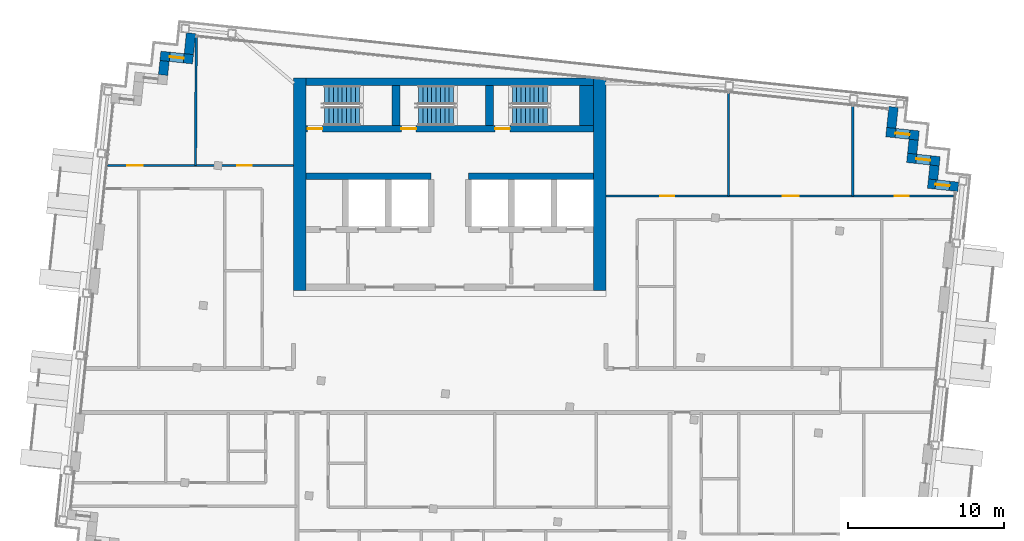
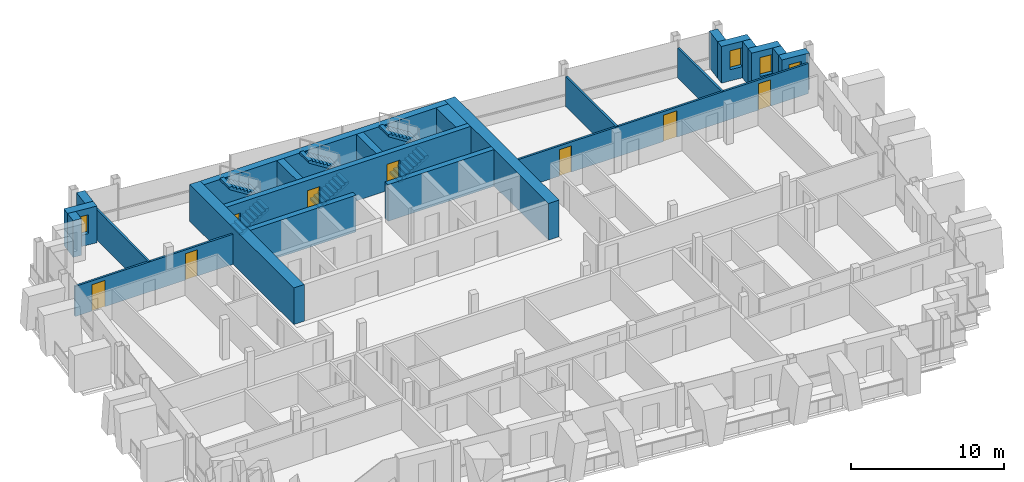
# One storey, part 12 of 16: 23 walls, 8 doors, 6 stair flights, 4 windows, 12 openings, 3 elements without a shape of their own.
"""IFC4 building model written with IfcOpenShell, lengths in metres."""

from ifc_helpers import new_model, si_unit, direction, frame, frame_2d, origin, place, context, subcontext, project, spatial, polyline, rectangle, outline, extrude, material, layer, layer_set, type_object, element, fill, aggregate, save


model = new_model("IFC4")

# Units and contexts
model_context = context("Model", 3, precision=1e-05, world=origin(), true_north=direction((0.0, 1.0)))
body_context = subcontext(model_context, "Body", "Model", "MODEL_VIEW")
ifc_project = project(units=[si_unit("LENGTHUNIT", "METRE"), si_unit("AREAUNIT", "SQUARE_METRE"), si_unit("VOLUMEUNIT", "CUBIC_METRE"), si_unit("PLANEANGLEUNIT", "RADIAN"), si_unit("MASSUNIT", "GRAM", prefix="KILO")], contexts=[model_context])

# Site, building, storey
site_placement = place(None, origin())
site = spatial("IfcSite", under=ifc_project, at=site_placement, CompositionType="ELEMENT")
building_placement = place(site_placement, origin())
building = spatial("IfcBuilding", under=site, at=building_placement, Name="Vidyagriha Tower", CompositionType="ELEMENT")
storey_placement = place(building_placement, frame((0.0, 0.0, 253.10009765625)))
storey = spatial("IfcBuildingStorey", under=building, at=storey_placement, Name="L65", CompositionType="ELEMENT", Elevation=253.10009765625)

# Wall, opening, window
ifc_material_1 = material(Name="Precast concrete C40/50 with brick facing", Category="concrete")
ifc_layer_1 = layer(ifc_material_1, 0.60009765625)
ifc_layer_set_1 = layer_set([ifc_layer_1], Name="Precast concrete C40/50 with brick facing")
wall_type_1 = type_object("IfcWallType", Name="Brick-faced precast wall 600", PredefinedType="STANDARD", material=ifc_layer_set_1)
wall_1_placement = place(storey_placement, frame((32.536376953125, 13.03125, 0.0), z_axis=(0.0, 0.0, 1.0), x_axis=(-0.994534226826, 0.104411070641, 0.0)))
wall_1 = element("IfcWall", 1, at=wall_1_placement, inside=storey, type_object=wall_type_1, Name="Stepped corner wall L65 R01", PredefinedType="STANDARD", context=body_context, shape_type="SweptSolid", body=[
    extrude(rectangle(XDim=1.9501953125, YDim=0.60009765625, at=frame_2d((0.97509765625, 0.0))), origin(), (0.0, 0.0, 1.0), 2.919921875),
])
opening_1_placement = place(wall_1_placement, frame((0.559814453125, 0.0, 0.89990234375)))
opening_1 = element("IfcOpeningElement", 2, at=opening_1_placement, cuts=wall_1, Name="Opening WN1", PredefinedType="OPENING", context=body_context, shape_type="SweptSolid", body=[
    extrude(rectangle(XDim=0.89990234375, YDim=1.5, at=frame_2d((0.449951171875, 0.75))), frame((0.0, 0.31005859375, 0.0), z_axis=(0.0, -1.0, 0.0), x_axis=(1.0, 0.0, 0.0)), (0.0, 0.0, 1.0), 0.6201171875),
])
ifc_material_2 = material(Name="Aluminium and glass window", Category="aluminium")
window_type = type_object("IfcWindowType", Name="Reveal window 900x1500", PartitioningType="NOTDEFINED", PredefinedType="WINDOW", material=ifc_material_2)
window_1_placement = place(opening_1_placement, origin())
window_1 = element("IfcWindow", 3, at=window_1_placement, inside=storey, type_object=window_type, Name="Reveal window L65 R01", OverallHeight=1.5, OverallWidth=0.89990234375, PartitioningType="SINGLE_PANEL", PredefinedType="WINDOW", context=body_context, shape_type="SweptSolid", body=[
    extrude(rectangle(XDim=0.89990234375, YDim=1.5, at=frame_2d((0.449951171875, 0.75))), frame((0.0, 0.030029296875, 0.0), z_axis=(0.0, -1.0, 0.0), x_axis=(1.0, 0.0, 0.0)), (0.0, 0.0, 1.0), 0.06005859375),
])
fill(opening_1, window_1)

# Wall
wall_2_placement = place(storey_placement, frame((30.9267578125, 13.501953125, 0.0), z_axis=(0.0, 0.0, 1.0), x_axis=(0.104416541099, 0.994533652495, 0.0)))
element("IfcWall", 4, at=wall_2_placement, inside=storey, type_object=wall_type_1, Name="Stepped corner wall L65 R02", PredefinedType="STANDARD", context=body_context, shape_type="SweptSolid", body=[
    extrude(rectangle(XDim=0.900146484375, YDim=0.60009765625, at=frame_2d((0.4501953125, 0.0))), origin(), (0.0, 0.0, 1.0), 2.919921875),
])

# Wall, opening, window
wall_3_placement = place(storey_placement, frame((31.3505859375, 14.6640625, 0.0), z_axis=(0.0, 0.0, 1.0), x_axis=(-0.994523910136, 0.104509292252, 0.0)))
wall_3 = element("IfcWall", 5, at=wall_3_placement, inside=storey, type_object=wall_type_1, Name="Stepped corner wall L65 R03", PredefinedType="STANDARD", context=body_context, shape_type="SweptSolid", body=[
    extrude(rectangle(XDim=2.10009765625, YDim=0.60009765625, at=frame_2d((1.050048828125, 0.0))), origin(), (0.0, 0.0, 1.0), 2.919921875),
])
opening_2_placement = place(wall_3_placement, frame((0.60009765625, 0.0, 0.89990234375)))
opening_2 = element("IfcOpeningElement", 6, at=opening_2_placement, cuts=wall_3, Name="Opening WN1", PredefinedType="OPENING", context=body_context, shape_type="SweptSolid", body=[
    extrude(rectangle(XDim=0.89990234375, YDim=1.5, at=frame_2d((0.449951171875, 0.75))), frame((0.0, 0.31005859375, 0.0), z_axis=(0.0, -1.0, 0.0), x_axis=(1.0, 0.0, 0.0)), (0.0, 0.0, 1.0), 0.6201171875),
])
window_2_placement = place(opening_2_placement, origin())
window_2 = element("IfcWindow", 7, at=window_2_placement, inside=storey, type_object=window_type, Name="Reveal window L65 R03", OverallHeight=1.5, OverallWidth=0.89990234375, PartitioningType="SINGLE_PANEL", PredefinedType="WINDOW", context=body_context, shape_type="SweptSolid", body=[
    extrude(rectangle(XDim=0.89990234375, YDim=1.5, at=frame_2d((0.449951171875, 0.75))), frame((0.0, 0.030029296875, 0.0), z_axis=(0.0, -1.0, 0.0), x_axis=(1.0, 0.0, 0.0)), (0.0, 0.0, 1.0), 0.06005859375),
])
fill(opening_2, window_2)

# Wall
wall_4_placement = place(storey_placement, frame((29.591796875, 15.150634765625, 0.0), z_axis=(0.0, 0.0, 1.0), x_axis=(0.104444712852, 0.994530694326, 0.0)))
element("IfcWall", 8, at=wall_4_placement, inside=storey, type_object=wall_type_1, Name="Stepped corner wall L65 R04", PredefinedType="STANDARD", context=body_context, shape_type="SweptSolid", body=[
    extrude(rectangle(XDim=0.89990234375, YDim=0.60009765625, at=frame_2d((0.449951171875, 0.0))), origin(), (0.0, 0.0, 1.0), 2.919921875),
])

# Wall, opening, window
wall_5_placement = place(storey_placement, frame((30.015380859375, 16.3125, 0.0), z_axis=(0.0, 0.0, 1.0), x_axis=(-0.994510548187, 0.104636368175, 0.0)))
wall_5 = element("IfcWall", 9, at=wall_5_placement, inside=storey, type_object=wall_type_1, Name="Stepped corner wall L65 R05", PredefinedType="STANDARD", context=body_context, shape_type="SweptSolid", body=[
    extrude(rectangle(XDim=2.099853515625, YDim=0.60009765625, at=frame_2d((1.0498046875, 0.0))), origin(), (0.0, 0.0, 1.0), 2.919921875),
])
opening_3_placement = place(wall_5_placement, frame((0.60009765625, 0.0, 0.89990234375)))
opening_3 = element("IfcOpeningElement", 10, at=opening_3_placement, cuts=wall_5, Name="Opening WN1", PredefinedType="OPENING", context=body_context, shape_type="SweptSolid", body=[
    extrude(rectangle(XDim=0.89990234375, YDim=1.5, at=frame_2d((0.449951171875, 0.75))), frame((0.0, 0.31005859375, 0.0), z_axis=(0.0, -1.0, 0.0), x_axis=(1.0, 0.0, 0.0)), (0.0, 0.0, 1.0), 0.6201171875),
])
window_3_placement = place(opening_3_placement, origin())
window_3 = element("IfcWindow", 11, at=window_3_placement, inside=storey, type_object=window_type, Name="Reveal window L65 R05", OverallHeight=1.5, OverallWidth=0.89990234375, PartitioningType="SINGLE_PANEL", PredefinedType="WINDOW", context=body_context, shape_type="SweptSolid", body=[
    extrude(rectangle(XDim=0.89990234375, YDim=1.5, at=frame_2d((0.449951171875, 0.75))), frame((0.0, 0.030029296875, 0.0), z_axis=(0.0, -1.0, 0.0), x_axis=(1.0, 0.0, 0.0)), (0.0, 0.0, 1.0), 0.06005859375),
])
fill(opening_3, window_3)

# Walls
wall_6_placement = place(storey_placement, frame((28.256591796875, 16.79931640625, 0.0), z_axis=(0.0, 0.0, 1.0), x_axis=(0.104534153452, 0.994521297289, 0.0)))
element("IfcWall", 12, at=wall_6_placement, inside=storey, type_object=wall_type_1, Name="Stepped corner wall L65 R06", PredefinedType="STANDARD", context=body_context, shape_type="SweptSolid", body=[
    extrude(rectangle(XDim=1.349853515625, YDim=0.60009765625, at=frame_2d((0.6748046875, 0.0))), origin(), (0.0, 0.0, 1.0), 2.919921875),
])
wall_7_placement = place(storey_placement, frame((-16.5546875, 22.866455078125, 0.0), z_axis=(0.0, 0.0, 1.0), x_axis=(-0.104515354875, -0.994523273029, 0.0)))
element("IfcWall", 13, at=wall_7_placement, inside=storey, type_object=wall_type_1, Name="Stepped corner wall L65 R08", PredefinedType="STANDARD", context=body_context, shape_type="SweptSolid", body=[
    extrude(rectangle(XDim=1.35009765625, YDim=0.60009765625, at=frame_2d((0.675048828125, 0.0))), origin(), (0.0, 0.0, 1.0), 2.919921875),
])

# Wall, opening, window
wall_8_placement = place(storey_placement, frame((-16.4287109375, 21.194091796875, 0.0), z_axis=(0.0, 0.0, 1.0), x_axis=(-0.994522640205, 0.104521376379, 0.0)))
wall_8 = element("IfcWall", 14, at=wall_8_placement, inside=storey, type_object=wall_type_1, Name="Stepped corner wall L65 R09", PredefinedType="STANDARD", context=body_context, shape_type="SweptSolid", body=[
    extrude(rectangle(XDim=2.099853515625, YDim=0.60009765625, at=frame_2d((1.0498046875, 0.0))), origin(), (0.0, 0.0, 1.0), 2.919921875),
])
opening_4_placement = place(wall_8_placement, frame((0.599853515625, 0.0, 0.89990234375)))
opening_4 = element("IfcOpeningElement", 15, at=opening_4_placement, cuts=wall_8, Name="Opening WN1", PredefinedType="OPENING", context=body_context, shape_type="SweptSolid", body=[
    extrude(rectangle(XDim=0.89990234375, YDim=1.5, at=frame_2d((0.449951171875, 0.75))), frame((0.0, 0.31005859375, 0.0), z_axis=(0.0, -1.0, 0.0), x_axis=(1.0, 0.0, 0.0)), (0.0, 0.0, 1.0), 0.6201171875),
])
window_4_placement = place(opening_4_placement, origin())
window_4 = element("IfcWindow", 16, at=window_4_placement, inside=storey, type_object=window_type, Name="Reveal window L65 R09", OverallHeight=1.5, OverallWidth=0.89990234375, PartitioningType="SINGLE_PANEL", PredefinedType="WINDOW", context=body_context, shape_type="SweptSolid", body=[
    extrude(rectangle(XDim=0.89990234375, YDim=1.5, at=frame_2d((0.449951171875, 0.75))), frame((0.0, 0.030029296875, 0.0), z_axis=(0.0, -1.0, 0.0), x_axis=(1.0, 0.0, 0.0)), (0.0, 0.0, 1.0), 0.06005859375),
])
fill(opening_4, window_4)

# Walls
wall_9_placement = place(storey_placement, frame((-18.250244140625, 21.083984375, 0.0), z_axis=(0.0, 0.0, 1.0), x_axis=(-0.104416541099, -0.994533652495, 0.0)))
element("IfcWall", 17, at=wall_9_placement, inside=storey, type_object=wall_type_1, Name="Stepped corner wall L65 R10", PredefinedType="STANDARD", context=body_context, shape_type="SweptSolid", body=[
    extrude(rectangle(XDim=0.900146484375, YDim=0.60009765625, at=frame_2d((0.4501953125, 0.0))), origin(), (0.0, 0.0, 1.0), 2.919921875),
])
ifc_material_3 = material(Name="Concrete C60/75", Category="concrete")
ifc_layer_2 = layer(ifc_material_3, 0.39990234375)
ifc_layer_set_2 = layer_set([ifc_layer_2], Name="Concrete C60/75")
wall_type_2 = type_object("IfcWallType", Name="Core shear wall 400 mm", PredefinedType="SHEAR", material=ifc_layer_set_2)
for number, where, name in (
    (18, (-9.199951171875, 13.699951171875, 0.0), "Core row N rear wall"),
    (19, (1.199951171875, 13.699951171875, 0.0), "Core row N rear wall"),
):
    element("IfcWall", number, at=place(storey_placement, frame(where)), inside=storey, type_object=wall_type_2, Name=name, PredefinedType="SHEAR", context=body_context, shape_type="SweptSolid", body=[
        extrude(rectangle(XDim=8.0, YDim=0.39990234375, at=frame_2d((4.0, 0.0))), origin(), (0.0, 0.0, 1.0), 2.919921875),
    ])

# Wall, openings, doors
wall_10_placement = place(storey_placement, frame((-9.199951171875, 16.75, 0.0)))
wall_10 = element("IfcWall", 20, at=wall_10_placement, inside=storey, type_object=wall_type_2, Name="Stair front wall", PredefinedType="SHEAR", context=body_context, shape_type="SweptSolid", body=[
    extrude(rectangle(XDim=18.39990234375, YDim=0.39990234375, at=frame_2d((9.199951171875, 0.0))), origin(), (0.0, 0.0, 1.0), 2.919921875),
])
opening_5_placement = place(wall_10_placement, frame((0.10009765625, 0.0, 0.0)))
opening_5 = element("IfcOpeningElement", 21, at=opening_5_placement, cuts=wall_10, Name="Opening D65-06", PredefinedType="OPENING", context=body_context, shape_type="SweptSolid", body=[
    extrude(rectangle(XDim=0.949951171875, YDim=2.10009765625, at=frame_2d((0.47509765625, 1.050048828125))), frame((0.0, 0.2099609375, 0.0), z_axis=(0.0, -1.0, 0.0), x_axis=(1.0, 0.0, 0.0)), (0.0, 0.0, 1.0), 0.419921875),
])
opening_6_placement = place(wall_10_placement, frame((6.10009765625, 0.0, 0.0)))
opening_6 = element("IfcOpeningElement", 22, at=opening_6_placement, cuts=wall_10, Name="Opening D65-07", PredefinedType="OPENING", context=body_context, shape_type="SweptSolid", body=[
    extrude(rectangle(XDim=0.949951171875, YDim=2.10009765625, at=frame_2d((0.47509765625, 1.050048828125))), frame((0.0, 0.2099609375, 0.0), z_axis=(0.0, -1.0, 0.0), x_axis=(1.0, 0.0, 0.0)), (0.0, 0.0, 1.0), 0.419921875),
])
opening_7_placement = place(wall_10_placement, frame((12.10009765625, 0.0, 0.0)))
opening_7 = element("IfcOpeningElement", 23, at=opening_7_placement, cuts=wall_10, Name="Opening D65-08", PredefinedType="OPENING", context=body_context, shape_type="SweptSolid", body=[
    extrude(rectangle(XDim=0.949951171875, YDim=2.10009765625, at=frame_2d((0.47509765625, 1.050048828125))), frame((0.0, 0.2099609375, 0.0), z_axis=(0.0, -1.0, 0.0), x_axis=(1.0, 0.0, 0.0)), (0.0, 0.0, 1.0), 0.419921875),
])
ifc_material_4 = material(Name="Hollow metal door leaf")
door_type_1 = type_object("IfcDoorType", Name="Exit stair door 950 x 2100 mm EI 90", OperationType="NOTDEFINED", PredefinedType="DOOR", material=ifc_material_4)
door_1_placement = place(opening_5_placement, origin())
door_1 = element("IfcDoor", 24, at=door_1_placement, inside=storey, type_object=door_type_1, Name="Stair door ST1 L65", OperationType="SINGLE_SWING_LEFT", OverallHeight=2.10009765625, OverallWidth=0.949951171875, PredefinedType="DOOR", context=body_context, shape_type="SweptSolid", body=[
    extrude(rectangle(XDim=0.949951171875, YDim=2.10009765625, at=frame_2d((0.47509765625, 1.050048828125))), frame((0.0, 0.02490234375, 0.0), z_axis=(0.0, -1.0, 0.0), x_axis=(1.0, 0.0, 0.0)), (0.0, 0.0, 1.0), 0.050048828125),
])
fill(opening_5, door_1)
door_2_placement = place(opening_6_placement, origin())
door_2 = element("IfcDoor", 25, at=door_2_placement, inside=storey, type_object=door_type_1, Name="Stair door ST2 L65", OperationType="SINGLE_SWING_LEFT", OverallHeight=2.10009765625, OverallWidth=0.949951171875, PredefinedType="DOOR", context=body_context, shape_type="SweptSolid", body=[
    extrude(rectangle(XDim=0.949951171875, YDim=2.10009765625, at=frame_2d((0.47509765625, 1.050048828125))), frame((0.0, 0.02490234375, 0.0), z_axis=(0.0, -1.0, 0.0), x_axis=(1.0, 0.0, 0.0)), (0.0, 0.0, 1.0), 0.050048828125),
])
fill(opening_6, door_2)
door_3_placement = place(opening_7_placement, origin())
door_3 = element("IfcDoor", 26, at=door_3_placement, inside=storey, type_object=door_type_1, Name="Stair door ST3 L65", OperationType="SINGLE_SWING_LEFT", OverallHeight=2.10009765625, OverallWidth=0.949951171875, PredefinedType="DOOR", context=body_context, shape_type="SweptSolid", body=[
    extrude(rectangle(XDim=0.949951171875, YDim=2.10009765625, at=frame_2d((0.47509765625, 1.050048828125))), frame((0.0, 0.02490234375, 0.0), z_axis=(0.0, -1.0, 0.0), x_axis=(1.0, 0.0, 0.0)), (0.0, 0.0, 1.0), 0.050048828125),
])
fill(opening_7, door_3)

# Walls
ifc_material_5 = material(Name="Concrete C60/75", Category="concrete")
ifc_layer_3 = layer(ifc_material_5, 0.5)
ifc_layer_set_3 = layer_set([ifc_layer_3], Name="Concrete C60/75")
wall_type_3 = type_object("IfcWallType", Name="Core shear wall 500 mm", PredefinedType="SHEAR", material=ifc_layer_set_3)
wall_11_placement = place(storey_placement, frame((-9.199951171875, 19.75, 0.0)))
element("IfcWall", 27, at=wall_11_placement, inside=storey, type_object=wall_type_3, Name="Core north wall", PredefinedType="SHEAR", context=body_context, shape_type="SweptSolid", body=[
    extrude(rectangle(XDim=18.39990234375, YDim=0.5, at=frame_2d((9.199951171875, 0.0))), origin(), (0.0, 0.0, 1.0), 2.919921875),
])
for number, where, z_axis, x_axis, name in (
    (28, (-3.449951171875, 16.949951171875, 0.0), (0.0, 0.0, 1.0), (0.0, 1.0, 0.0), "Stair partition wall 1"),
    (29, (2.550048828125, 16.949951171875, 0.0), (0.0, 0.0, 1.0), (0.0, 1.0, 0.0), "Stair partition wall 2"),
):
    element("IfcWall", number, at=place(storey_placement, frame(where, z_axis=z_axis, x_axis=x_axis)), inside=storey, type_object=wall_type_3, Name=name, PredefinedType="SHEAR", context=body_context, shape_type="SweptSolid", body=[
        extrude(rectangle(XDim=2.550048828125, YDim=0.5, at=frame_2d((1.27490234375, 0.0))), origin(), (0.0, 0.0, 1.0), 2.919921875),
    ])
ifc_material_6 = material(Name="Concrete C60/75", Category="concrete")
ifc_layer_4 = layer(ifc_material_6, 0.800048828125)
ifc_layer_set_4 = layer_set([ifc_layer_4], Name="Concrete C60/75")
wall_type_4 = type_object("IfcWallType", Name="Core shear wall 800 mm", PredefinedType="SHEAR", material=ifc_layer_set_4)
for number, where, z_axis, x_axis, name in (
    (30, (-9.60009765625, 6.39990234375, 0.0), (0.0, 0.0, 1.0), (0.0, 1.0, 0.0), "Core west wall"),
    (31, (9.60009765625, 6.39990234375, 0.0), (0.0, 0.0, 1.0), (0.0, 1.0, 0.0), "Core east wall"),
):
    element("IfcWall", number, at=place(storey_placement, frame(where, z_axis=z_axis, x_axis=x_axis)), inside=storey, type_object=wall_type_4, Name=name, PredefinedType="SHEAR", context=body_context, shape_type="SweptSolid", body=[
        extrude(rectangle(XDim=13.60009765625, YDim=0.800048828125, at=frame_2d((6.800048828125, 0.0))), origin(), (0.0, 0.0, 1.0), 2.919921875),
    ])
ifc_material_7 = material(Name="Concrete C60/75", Category="concrete")
ifc_layer_5 = layer(ifc_material_7, 0.89990234375)
ifc_layer_set_5 = layer_set([ifc_layer_5], Name="Concrete C60/75")
wall_type_5 = type_object("IfcWallType", Name="Core shear wall 900 mm", PredefinedType="SHEAR", material=ifc_layer_set_5)
wall_12_placement = place(storey_placement, frame((8.75, 16.949951171875, 0.0), z_axis=(0.0, 0.0, 1.0), x_axis=(0.0, 1.0, 0.0)))
element("IfcWall", 32, at=wall_12_placement, inside=storey, type_object=wall_type_5, Name="Stair end wall", PredefinedType="SHEAR", context=body_context, shape_type="SweptSolid", body=[
    extrude(rectangle(XDim=2.550048828125, YDim=0.89990234375, at=frame_2d((1.27490234375, 0.0))), origin(), (0.0, 0.0, 1.0), 2.919921875),
])

# Wall, openings, doors
ifc_material_8 = material(Name="Gypsum board partition")
ifc_layer_6 = layer(ifc_material_8, 0.14990234375)
ifc_layer_set_6 = layer_set([ifc_layer_6], Name="Gypsum board partition")
wall_type_6 = type_object("IfcWallType", Name="Gypsum board partition 150", PredefinedType="PARTITIONING", material=ifc_layer_set_6)
wall_13_placement = place(storey_placement, frame((-21.889892578125, 14.39990234375, 0.0)))
wall_13 = element("IfcWall", 33, at=wall_13_placement, inside=storey, type_object=wall_type_6, Name="Wall all-L65-w068", PredefinedType="PARTITIONING", context=body_context, shape_type="SweptSolid", body=[
    extrude(rectangle(XDim=11.889892578125, YDim=0.14990234375, at=frame_2d((5.94482421875, 0.0))), origin(), (0.0, 0.0, 1.0), 2.39990234375),
])
opening_8_placement = place(wall_13_placement, frame((1.259765625, 0.0, 0.0)))
opening_8 = element("IfcOpeningElement", 34, at=opening_8_placement, cuts=wall_13, Name="Opening D65-40", PredefinedType="OPENING", context=body_context, shape_type="SweptSolid", body=[
    extrude(rectangle(XDim=1.0, YDim=2.10009765625, at=frame_2d((0.5, 1.050048828125))), frame((0.0, 0.0849609375, 0.0), z_axis=(0.0, -1.0, 0.0), x_axis=(1.0, 0.0, 0.0)), (0.0, 0.0, 1.0), 0.169921875),
])
opening_9_placement = place(wall_13_placement, frame((8.3037109375, 0.0, 0.0)))
opening_9 = element("IfcOpeningElement", 35, at=opening_9_placement, cuts=wall_13, Name="Opening D65-41", PredefinedType="OPENING", context=body_context, shape_type="SweptSolid", body=[
    extrude(rectangle(XDim=0.89990234375, YDim=2.10009765625, at=frame_2d((0.449951171875, 1.050048828125))), frame((0.0, 0.0849609375, 0.0), z_axis=(0.0, -1.0, 0.0), x_axis=(1.0, 0.0, 0.0)), (0.0, 0.0, 1.0), 0.169921875),
])
ifc_material_9 = material(Name="Timber door leaf", Category="wood")
door_type_2 = type_object("IfcDoorType", Name="Room door 1000x2100", OperationType="NOTDEFINED", PredefinedType="DOOR", material=ifc_material_9)
door_4_placement = place(opening_8_placement, origin())
door_4 = element("IfcDoor", 36, at=door_4_placement, inside=storey, type_object=door_type_2, Name="Door D65-40", OperationType="SINGLE_SWING_LEFT", OverallHeight=2.10009765625, OverallWidth=1.0, PredefinedType="DOOR", context=body_context, shape_type="SweptSolid", body=[
    extrude(rectangle(XDim=1.0, YDim=2.10009765625, at=frame_2d((0.5, 1.050048828125))), frame((0.0, 0.02490234375, 0.0), z_axis=(0.0, -1.0, 0.0), x_axis=(1.0, 0.0, 0.0)), (0.0, 0.0, 1.0), 0.050048828125),
])
fill(opening_8, door_4)
ifc_material_10 = material(Name="Timber door leaf", Category="wood")
door_type_3 = type_object("IfcDoorType", Name="Room door 900x2100", OperationType="NOTDEFINED", PredefinedType="DOOR", material=ifc_material_10)
door_5_placement = place(opening_9_placement, origin())
door_5 = element("IfcDoor", 37, at=door_5_placement, inside=storey, type_object=door_type_3, Name="Door D65-41", OperationType="SINGLE_SWING_RIGHT", OverallHeight=2.10009765625, OverallWidth=0.89990234375, PredefinedType="DOOR", context=body_context, shape_type="SweptSolid", body=[
    extrude(rectangle(XDim=0.89990234375, YDim=2.10009765625, at=frame_2d((0.449951171875, 1.050048828125))), frame((0.0, 0.02490234375, 0.0), z_axis=(0.0, -1.0, 0.0), x_axis=(1.0, 0.0, 0.0)), (0.0, 0.0, 1.0), 0.050048828125),
])
fill(opening_9, door_5)

# Wall
wall_14_placement = place(storey_placement, frame((-16.221923828125, 22.6103515625, 0.0), z_axis=(0.0, 0.0, 1.0), x_axis=(-0.006095634594, -0.999981421447, 0.0)))
element("IfcWall", 38, at=wall_14_placement, inside=storey, type_object=wall_type_6, Name="Wall all-L65-w071", PredefinedType="PARTITIONING", context=body_context, shape_type="SweptSolid", body=[
    extrude(rectangle(XDim=8.210693359375, YDim=0.14990234375, at=frame_2d((4.10546875, 0.0))), origin(), (0.0, 0.0, 1.0), 2.39990234375),
])

# Wall, openings, doors
wall_15_placement = place(storey_placement, frame((10.0, 12.443359375, 0.0)))
wall_15 = element("IfcWall", 39, at=wall_15_placement, inside=storey, type_object=wall_type_6, Name="Wall all-L65-w085", PredefinedType="PARTITIONING", context=body_context, shape_type="SweptSolid", body=[
    extrude(rectangle(XDim=22.244140625, YDim=0.14990234375, at=frame_2d((11.1220703125, 0.0))), origin(), (0.0, 0.0, 1.0), 2.39990234375),
])
opening_10_placement = place(wall_15_placement, frame((3.47021484375, 0.0, 0.0)))
opening_10 = element("IfcOpeningElement", 40, at=opening_10_placement, cuts=wall_15, Name="Opening D65-48", PredefinedType="OPENING", context=body_context, shape_type="SweptSolid", body=[
    extrude(rectangle(XDim=0.89990234375, YDim=2.10009765625, at=frame_2d((0.449951171875, 1.050048828125))), frame((0.0, 0.0849609375, 0.0), z_axis=(0.0, -1.0, 0.0), x_axis=(1.0, 0.0, 0.0)), (0.0, 0.0, 1.0), 0.169921875),
])
opening_11_placement = place(wall_15_placement, frame((11.318359375, 0.0, 0.0)))
opening_11 = element("IfcOpeningElement", 41, at=opening_11_placement, cuts=wall_15, Name="Opening D65-49", PredefinedType="OPENING", context=body_context, shape_type="SweptSolid", body=[
    extrude(rectangle(XDim=1.0, YDim=2.10009765625, at=frame_2d((0.5, 1.050048828125))), frame((0.0, 0.0849609375, 0.0), z_axis=(0.0, -1.0, 0.0), x_axis=(1.0, 0.0, 0.0)), (0.0, 0.0, 1.0), 0.169921875),
])
opening_12_placement = place(wall_15_placement, frame((18.476806640625, 0.0, 0.0)))
opening_12 = element("IfcOpeningElement", 42, at=opening_12_placement, cuts=wall_15, Name="Opening D65-50", PredefinedType="OPENING", context=body_context, shape_type="SweptSolid", body=[
    extrude(rectangle(XDim=0.89990234375, YDim=2.10009765625, at=frame_2d((0.449951171875, 1.050048828125))), frame((0.0, 0.0849609375, 0.0), z_axis=(0.0, -1.0, 0.0), x_axis=(1.0, 0.0, 0.0)), (0.0, 0.0, 1.0), 0.169921875),
])
door_6_placement = place(opening_11_placement, origin())
door_6 = element("IfcDoor", 43, at=door_6_placement, inside=storey, type_object=door_type_2, Name="Door D65-49", OperationType="SINGLE_SWING_RIGHT", OverallHeight=2.10009765625, OverallWidth=1.0, PredefinedType="DOOR", context=body_context, shape_type="SweptSolid", body=[
    extrude(rectangle(XDim=1.0, YDim=2.10009765625, at=frame_2d((0.5, 1.050048828125))), frame((0.0, 0.02490234375, 0.0), z_axis=(0.0, -1.0, 0.0), x_axis=(1.0, 0.0, 0.0)), (0.0, 0.0, 1.0), 0.050048828125),
])
fill(opening_11, door_6)
door_7_placement = place(opening_10_placement, origin())
door_7 = element("IfcDoor", 44, at=door_7_placement, inside=storey, type_object=door_type_3, Name="Door D65-48", OperationType="SINGLE_SWING_RIGHT", OverallHeight=2.10009765625, OverallWidth=0.89990234375, PredefinedType="DOOR", context=body_context, shape_type="SweptSolid", body=[
    extrude(rectangle(XDim=0.89990234375, YDim=2.10009765625, at=frame_2d((0.449951171875, 1.050048828125))), frame((0.0, 0.02490234375, 0.0), z_axis=(0.0, -1.0, 0.0), x_axis=(1.0, 0.0, 0.0)), (0.0, 0.0, 1.0), 0.050048828125),
])
fill(opening_10, door_7)
door_8_placement = place(opening_12_placement, origin())
door_8 = element("IfcDoor", 45, at=door_8_placement, inside=storey, type_object=door_type_3, Name="Door D65-50", OperationType="SINGLE_SWING_RIGHT", OverallHeight=2.10009765625, OverallWidth=0.89990234375, PredefinedType="DOOR", context=body_context, shape_type="SweptSolid", body=[
    extrude(rectangle(XDim=0.89990234375, YDim=2.10009765625, at=frame_2d((0.449951171875, 1.050048828125))), frame((0.0, 0.02490234375, 0.0), z_axis=(0.0, -1.0, 0.0), x_axis=(1.0, 0.0, 0.0)), (0.0, 0.0, 1.0), 0.050048828125),
])
fill(opening_12, door_8)

# Walls
wall_16_placement = place(storey_placement, frame((17.840087890625, 19.02099609375, 0.0), z_axis=(0.0, 0.0, 1.0), x_axis=(0.0, -1.0, 0.0)))
element("IfcWall", 46, at=wall_16_placement, inside=storey, type_object=wall_type_6, Name="Wall all-L65-w089", PredefinedType="PARTITIONING", context=body_context, shape_type="SweptSolid", body=[
    extrude(rectangle(XDim=6.57763671875, YDim=0.14990234375, at=frame_2d((3.288818359375, 0.0))), origin(), (0.0, 0.0, 1.0), 2.39990234375),
])
wall_17_placement = place(storey_placement, frame((25.79638671875, 18.184814453125, 0.0), z_axis=(0.0, 0.0, 1.0), x_axis=(0.0, -1.0, 0.0)))
element("IfcWall", 47, at=wall_17_placement, inside=storey, type_object=wall_type_6, Name="Wall all-L65-w090", PredefinedType="PARTITIONING", context=body_context, shape_type="SweptSolid", body=[
    extrude(rectangle(XDim=5.741455078125, YDim=0.14990234375, at=frame_2d((2.87060546875, 0.0))), origin(), (0.0, 0.0, 1.0), 2.39990234375),
])

# Stair, stair flights
ifc_material_11 = material(Name="Concrete C40/50", Category="concrete")
stair_type = type_object("IfcStairType", Name="Exit stair, half-turn, precast flights", PredefinedType="HALF_TURN_STAIR", material=ifc_material_11)
stair_1_placement = place(storey_placement, origin())
stair_1 = element("IfcStair", 48, at=stair_1_placement, inside=storey, type_object=stair_type, Name="L65 Exit Stair ST1", PredefinedType="HALF_TURN_STAIR")
ifc_material_12 = material(Name="Precast concrete C40/50", Category="concrete")
stair_flight_type = type_object("IfcStairFlightType", Name="Exit stair flight 1200 mm, precast", PredefinedType="STRAIGHT", material=ifc_material_12)
stair_flight_1_placement = place(storey_placement, frame((-8.0, 17.550048828125, 0.0)))
stair_flight_1 = element("IfcStairFlight", 49, at=stair_flight_1_placement, type_object=stair_flight_type, Name="ST1 flight 1", NumberOfRisers=9, NumberOfTreads=8, PredefinedType="STRAIGHT", RiserHeight=0.177777778, TreadLength=0.28, context=body_context, shape_type="SweptSolid", body=[
    extrude(outline(polyline([(0.0, 0.0), (0.0, 0.177734375), (0.280029296875, 0.177734375), (0.280029296875, 0.35546875), (0.56005859375, 0.35546875), (0.56005859375, 0.533447265625), (0.840087890625, 0.533447265625), (0.840087890625, 0.711181640625), (1.1201171875, 0.711181640625), (1.1201171875, 0.888916015625), (1.39990234375, 0.888916015625), (1.39990234375, 1.066650390625), (1.679931640625, 1.066650390625), (1.679931640625, 1.244384765625), (1.9599609375, 1.244384765625), (1.9599609375, 1.422119140625), (2.239990234375, 1.422119140625), (2.239990234375, 1.60009765625), (2.239990234375, 1.24462890625), (0.27978515625, 0.0), (0.0, 0.0)])), frame((0.0, 0.60009765625, 0.0), z_axis=(0.0, -1.0, 0.0), x_axis=(1.0, 0.0, 0.0)), (0.0, 0.0, 1.0), 1.199951171875),
])
stair_flight_2_placement = place(storey_placement, frame((-5.760009765625, 18.89990234375, 1.599853515625), z_axis=(0.0, 0.0, 1.0), x_axis=(-1.0, 0.0, 0.0)))
stair_flight_2 = element("IfcStairFlight", 50, at=stair_flight_2_placement, type_object=stair_flight_type, Name="ST1 flight 2", NumberOfRisers=9, NumberOfTreads=8, PredefinedType="STRAIGHT", RiserHeight=0.177777778, TreadLength=0.28, context=body_context, shape_type="SweptSolid", body=[
    extrude(outline(polyline([(0.0, 0.0), (0.0, 0.177734375), (0.280029296875, 0.177734375), (0.280029296875, 0.35546875), (0.56005859375, 0.35546875), (0.56005859375, 0.533447265625), (0.840087890625, 0.533447265625), (0.840087890625, 0.711181640625), (1.1201171875, 0.711181640625), (1.1201171875, 0.888916015625), (1.39990234375, 0.888916015625), (1.39990234375, 1.066650390625), (1.679931640625, 1.066650390625), (1.679931640625, 1.244384765625), (1.9599609375, 1.244384765625), (1.9599609375, 1.422119140625), (2.239990234375, 1.422119140625), (2.239990234375, 1.60009765625), (2.239990234375, 1.24462890625), (0.27978515625, 0.0), (0.0, 0.0)])), frame((0.0, 0.60009765625, 0.0), z_axis=(0.0, -1.0, 0.0), x_axis=(1.0, 0.0, 0.0)), (0.0, 0.0, 1.0), 1.199951171875),
])
aggregate(stair_1, [stair_flight_1, stair_flight_2])

stair_2_placement = place(storey_placement, origin())
stair_2 = element("IfcStair", 51, at=stair_2_placement, inside=storey, type_object=stair_type, Name="L65 Exit Stair ST2", PredefinedType="HALF_TURN_STAIR")
stair_flight_3_placement = place(storey_placement, frame((-2.0, 17.550048828125, 0.0)))
stair_flight_3 = element("IfcStairFlight", 52, at=stair_flight_3_placement, type_object=stair_flight_type, Name="ST2 flight 1", NumberOfRisers=9, NumberOfTreads=8, PredefinedType="STRAIGHT", RiserHeight=0.177777778, TreadLength=0.28, context=body_context, shape_type="SweptSolid", body=[
    extrude(outline(polyline([(0.0, 0.0), (0.0, 0.177734375), (0.280029296875, 0.177734375), (0.280029296875, 0.35546875), (0.56005859375, 0.35546875), (0.56005859375, 0.533447265625), (0.840087890625, 0.533447265625), (0.840087890625, 0.711181640625), (1.1201171875, 0.711181640625), (1.1201171875, 0.888916015625), (1.39990234375, 0.888916015625), (1.39990234375, 1.066650390625), (1.679931640625, 1.066650390625), (1.679931640625, 1.244384765625), (1.9599609375, 1.244384765625), (1.9599609375, 1.422119140625), (2.239990234375, 1.422119140625), (2.239990234375, 1.60009765625), (2.239990234375, 1.24462890625), (0.27978515625, 0.0), (0.0, 0.0)])), frame((0.0, 0.60009765625, 0.0), z_axis=(0.0, -1.0, 0.0), x_axis=(1.0, 0.0, 0.0)), (0.0, 0.0, 1.0), 1.199951171875),
])
stair_flight_4_placement = place(storey_placement, frame((0.239990234375, 18.89990234375, 1.599853515625), z_axis=(0.0, 0.0, 1.0), x_axis=(-1.0, 0.0, 0.0)))
stair_flight_4 = element("IfcStairFlight", 53, at=stair_flight_4_placement, type_object=stair_flight_type, Name="ST2 flight 2", NumberOfRisers=9, NumberOfTreads=8, PredefinedType="STRAIGHT", RiserHeight=0.177777778, TreadLength=0.28, context=body_context, shape_type="SweptSolid", body=[
    extrude(outline(polyline([(0.0, 0.0), (0.0, 0.177734375), (0.280029296875, 0.177734375), (0.280029296875, 0.35546875), (0.56005859375, 0.35546875), (0.56005859375, 0.533447265625), (0.840087890625, 0.533447265625), (0.840087890625, 0.711181640625), (1.1201171875, 0.711181640625), (1.1201171875, 0.888916015625), (1.39990234375, 0.888916015625), (1.39990234375, 1.066650390625), (1.679931640625, 1.066650390625), (1.679931640625, 1.244384765625), (1.9599609375, 1.244384765625), (1.9599609375, 1.422119140625), (2.239990234375, 1.422119140625), (2.239990234375, 1.60009765625), (2.239990234375, 1.24462890625), (0.27978515625, 0.0), (0.0, 0.0)])), frame((0.0, 0.60009765625, 0.0), z_axis=(0.0, -1.0, 0.0), x_axis=(1.0, 0.0, 0.0)), (0.0, 0.0, 1.0), 1.199951171875),
])
aggregate(stair_2, [stair_flight_3, stair_flight_4])

stair_3_placement = place(storey_placement, origin())
stair_3 = element("IfcStair", 54, at=stair_3_placement, inside=storey, type_object=stair_type, Name="L65 Exit Stair ST3", PredefinedType="HALF_TURN_STAIR")
stair_flight_5_placement = place(storey_placement, frame((4.0, 17.550048828125, 0.0)))
stair_flight_5 = element("IfcStairFlight", 55, at=stair_flight_5_placement, type_object=stair_flight_type, Name="ST3 flight 1", NumberOfRisers=9, NumberOfTreads=8, PredefinedType="STRAIGHT", RiserHeight=0.177777778, TreadLength=0.28, context=body_context, shape_type="SweptSolid", body=[
    extrude(outline(polyline([(0.0, 0.0), (0.0, 0.177734375), (0.280029296875, 0.177734375), (0.280029296875, 0.35546875), (0.56005859375, 0.35546875), (0.56005859375, 0.533447265625), (0.840087890625, 0.533447265625), (0.840087890625, 0.711181640625), (1.1201171875, 0.711181640625), (1.1201171875, 0.888916015625), (1.39990234375, 0.888916015625), (1.39990234375, 1.066650390625), (1.679931640625, 1.066650390625), (1.679931640625, 1.244384765625), (1.9599609375, 1.244384765625), (1.9599609375, 1.422119140625), (2.239990234375, 1.422119140625), (2.239990234375, 1.60009765625), (2.239990234375, 1.24462890625), (0.27978515625, 0.0), (0.0, 0.0)])), frame((0.0, 0.60009765625, 0.0), z_axis=(0.0, -1.0, 0.0), x_axis=(1.0, 0.0, 0.0)), (0.0, 0.0, 1.0), 1.199951171875),
])
stair_flight_6_placement = place(storey_placement, frame((6.239990234375, 18.89990234375, 1.599853515625), z_axis=(0.0, 0.0, 1.0), x_axis=(-1.0, 0.0, 0.0)))
stair_flight_6 = element("IfcStairFlight", 56, at=stair_flight_6_placement, type_object=stair_flight_type, Name="ST3 flight 2", NumberOfRisers=9, NumberOfTreads=8, PredefinedType="STRAIGHT", RiserHeight=0.177777778, TreadLength=0.28, context=body_context, shape_type="SweptSolid", body=[
    extrude(outline(polyline([(0.0, 0.0), (0.0, 0.177734375), (0.280029296875, 0.177734375), (0.280029296875, 0.35546875), (0.56005859375, 0.35546875), (0.56005859375, 0.533447265625), (0.840087890625, 0.533447265625), (0.840087890625, 0.711181640625), (1.1201171875, 0.711181640625), (1.1201171875, 0.888916015625), (1.39990234375, 0.888916015625), (1.39990234375, 1.066650390625), (1.679931640625, 1.066650390625), (1.679931640625, 1.244384765625), (1.9599609375, 1.244384765625), (1.9599609375, 1.422119140625), (2.239990234375, 1.422119140625), (2.239990234375, 1.60009765625), (2.239990234375, 1.24462890625), (0.27978515625, 0.0), (0.0, 0.0)])), frame((0.0, 0.60009765625, 0.0), z_axis=(0.0, -1.0, 0.0), x_axis=(1.0, 0.0, 0.0)), (0.0, 0.0, 1.0), 1.199951171875),
])
aggregate(stair_3, [stair_flight_5, stair_flight_6])

save(model, "model.ifc")
